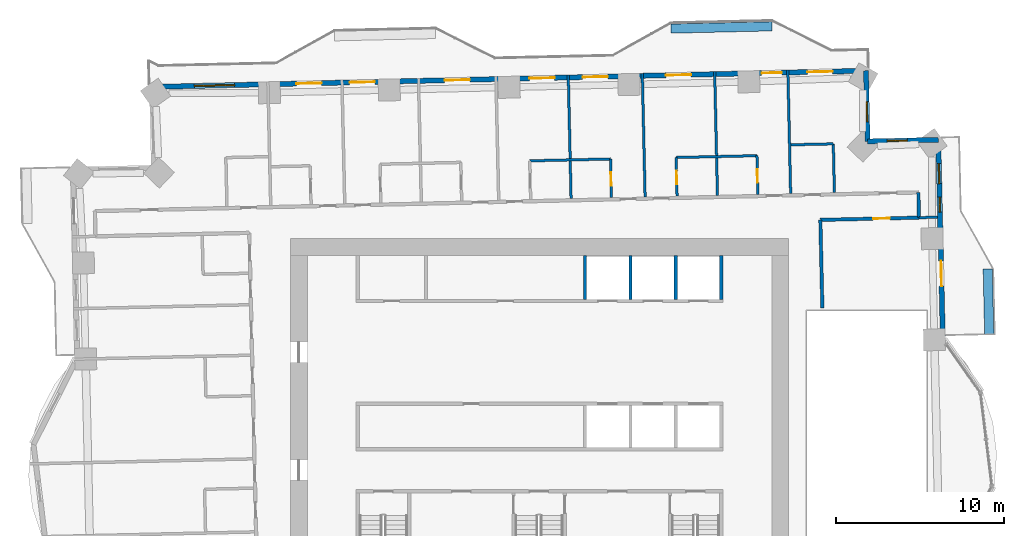
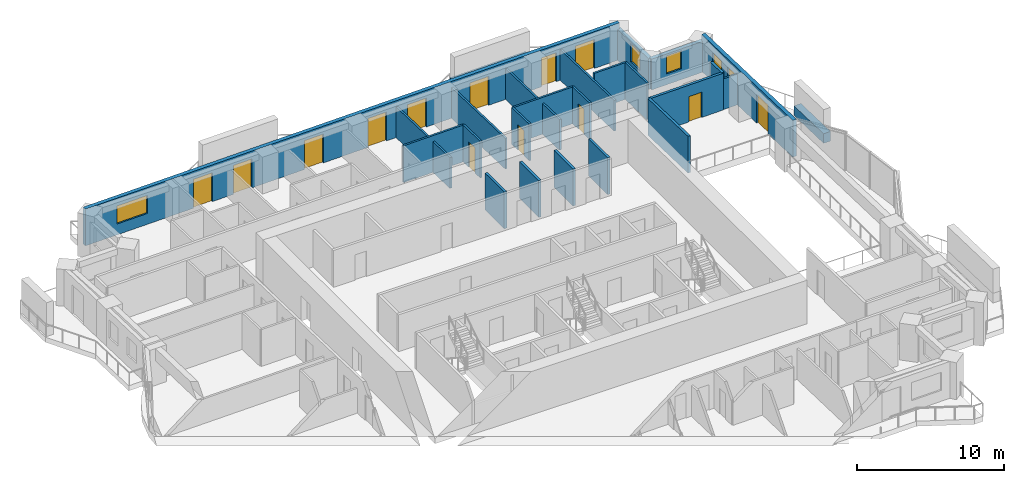
# One storey, part 11 of 16: 25 walls, 13 doors, 5 windows, 18 openings.
"""IFC4 building model written with IfcOpenShell, lengths in metres."""

from ifc_helpers import new_model, si_unit, direction, frame, frame_2d, origin, place, context, subcontext, project, spatial, rectangle, extrude, material, layer, layer_set, type_object, element, fill, save


model = new_model("IFC4")

# Units and contexts
model_context = context("Model", 3, precision=1e-05, world=origin(), true_north=direction((0.0, 1.0)))
body_context = subcontext(model_context, "Body", "Model", "MODEL_VIEW")
ifc_project = project(units=[si_unit("LENGTHUNIT", "METRE"), si_unit("AREAUNIT", "SQUARE_METRE"), si_unit("VOLUMEUNIT", "CUBIC_METRE"), si_unit("PLANEANGLEUNIT", "RADIAN"), si_unit("MASSUNIT", "GRAM", prefix="KILO")], contexts=[model_context])

# Site, building, storey
site_placement = place(None, origin())
site = spatial("IfcSite", under=ifc_project, at=site_placement, CompositionType="ELEMENT")
building_placement = place(site_placement, origin())
building = spatial("IfcBuilding", under=site, at=building_placement, Name="Mangrove Gate Tower", CompositionType="ELEMENT")
storey_placement = place(building_placement, frame((0.0, 0.0, 130.10009765625)))
storey = spatial("IfcBuildingStorey", under=building, at=storey_placement, Name="L32", CompositionType="ELEMENT", Elevation=130.10009765625)

# Walls
ifc_material_1 = material(Name="Concrete C70/85", Category="concrete")
ifc_layer_1 = layer(ifc_material_1, 0.199951171875)
ifc_layer_set_1 = layer_set([ifc_layer_1], Name="Core shaft wall 200 C70/85")
wall_type_1 = type_object("IfcWallType", Name="Core shaft wall 200 C70/85", PredefinedType="SHEAR", material=ifc_layer_set_1)
for number, where, z_axis, x_axis, name in (
    (1, (2.699951171875, 8.199951171875, 0.0), (0.0, 0.0, 1.0), (0.0, 1.0, 0.0), "WALL-L32-CORE-26"),
    (2, (5.39990234375, 8.199951171875, 0.0), (0.0, 0.0, 1.0), (0.0, 1.0, 0.0), "WALL-L32-CORE-27"),
    (3, (8.10009765625, 8.199951171875, 0.0), (0.0, 0.0, 1.0), (0.0, 1.0, 0.0), "WALL-L32-CORE-28"),
    (4, (10.800048828125, 8.199951171875, 0.0), (0.0, 0.0, 1.0), (0.0, 1.0, 0.0), "WALL-L32-CORE-29"),
):
    element("IfcWall", number, at=place(storey_placement, frame(where, z_axis=z_axis, x_axis=x_axis)), inside=storey, type_object=wall_type_1, Name=name, PredefinedType="SHEAR", context=body_context, shape_type="SweptSolid", body=[
        extrude(rectangle(XDim=2.60009765625, YDim=0.199951171875, at=frame_2d((1.300048828125, 0.0))), origin(), (0.0, 0.0, 1.0), 3.0498046875),
    ])
ifc_material_2 = material(Name="Gypsum board on steel stud, EI 60", Category="steel")
ifc_layer_2 = layer(ifc_material_2, 0.199951171875)
ifc_layer_set_2 = layer_set([ifc_layer_2], Name="Corridor wall EI 60")
wall_type_2 = type_object("IfcWallType", Name="Corridor wall EI 60", PredefinedType="PARTITIONING", material=ifc_layer_set_2)
wall_1_placement = place(storey_placement, frame((16.802978515625, 7.675048828125, 0.0), z_axis=(0.0, 0.0, 1.0), x_axis=(-0.022667483124, 0.999743059595, 0.0)))
element("IfcWall", 5, at=wall_1_placement, inside=storey, type_object=wall_type_2, Name="WALL-L32-050", PredefinedType="PARTITIONING", context=body_context, shape_type="SweptSolid", body=[
    extrude(rectangle(XDim=5.245361328125, YDim=0.199951171875, at=frame_2d((2.62255859375, 0.0))), origin(), (0.0, 0.0, 1.0), 3.0498046875),
])

# Wall, opening, door
wall_2_placement = place(storey_placement, frame((16.678955078125, 12.91796875, 0.0), z_axis=(0.0, 0.0, 1.0), x_axis=(0.999739057042, 0.022843332181, 0.0)))
wall_2 = element("IfcWall", 6, at=wall_2_placement, inside=storey, type_object=wall_type_2, Name="WALL-L32-057", PredefinedType="PARTITIONING", context=body_context, shape_type="SweptSolid", body=[
    extrude(rectangle(XDim=5.867431640625, YDim=0.199951171875, at=frame_2d((2.93359375, 0.0))), origin(), (0.0, 0.0, 1.0), 3.0498046875),
])
opening_1_placement = place(wall_2_placement, frame((3.134033203125, 0.0, 0.0)))
opening_1 = element("IfcOpeningElement", 7, at=opening_1_placement, cuts=wall_2, Name="Opening AD", PredefinedType="OPENING", context=body_context, shape_type="SweptSolid", body=[
    extrude(rectangle(XDim=1.0, YDim=2.10009765625, at=frame_2d((0.5, 1.050048828125))), frame((0.0, 0.10986328125, 0.0), z_axis=(0.0, -1.0, 0.0), x_axis=(1.0, 0.0, 0.0)), (0.0, 0.0, 1.0), 0.219970703125),
])
ifc_material_3 = material(Name="Timber door leaf", Category="wood")
door_type_1 = type_object("IfcDoorType", Name="Amenity door 1000", OperationType="SINGLE_SWING_LEFT", PredefinedType="DOOR", material=ifc_material_3)
door_1_placement = place(opening_1_placement, origin())
door_1 = element("IfcDoor", 8, at=door_1_placement, inside=storey, type_object=door_type_1, Name="DOOR-L32-GAM-c3a", OperationType="SINGLE_SWING_LEFT", OverallHeight=2.10009765625, OverallWidth=1.0, PredefinedType="DOOR", context=body_context, shape_type="SweptSolid", body=[
    extrude(rectangle(XDim=1.0, YDim=2.10009765625, at=frame_2d((0.5, 1.050048828125))), frame((0.0, 0.02490234375, 0.0), z_axis=(0.0, -1.0, 0.0), x_axis=(1.0, 0.0, 0.0)), (0.0, 0.0, 1.0), 0.050048828125),
])
fill(opening_1, door_1)

# Wall
wall_3_placement = place(storey_placement, frame((22.54296875, 13.052001953125, 0.0), z_axis=(0.0, 0.0, 1.0), x_axis=(-0.022632637625, 0.99974384905, 0.0)))
element("IfcWall", 9, at=wall_3_placement, inside=storey, type_object=wall_type_2, Name="WALL-L32-058", PredefinedType="PARTITIONING", context=body_context, shape_type="SweptSolid", body=[
    extrude(rectangle(XDim=1.49951171875, YDim=0.199951171875, at=frame_2d((0.749755859375, 0.0))), origin(), (0.0, 0.0, 1.0), 3.0498046875),
])

# Wall, openings, door, windows
ifc_material_4 = material(Name="Limestone", Category="masonry")
ifc_layer_3 = layer(ifc_material_4, 0.0400390625, Name="Limestone cladding")
ifc_material_5 = material(Name="Ventilated air gap")
ifc_layer_4 = layer(ifc_material_5, 0.0400390625, Name="Ventilated cavity")
ifc_material_6 = material(Name="Mineral wool insulation")
ifc_layer_5 = layer(ifc_material_6, 0.06005859375, Name="Insulation")
ifc_material_7 = material(Name="Breather membrane")
ifc_layer_6 = layer(ifc_material_7, 0.001953125, Name="Breather membrane")
ifc_material_8 = material(Name="Concrete C20/25 blockwork", Category="masonry")
ifc_layer_7 = layer(ifc_material_8, 0.14990234375, Name="Blockwork backing wall")
ifc_material_9 = material(Name="Gypsum plaster")
ifc_layer_8 = layer(ifc_material_9, 0.008056640625, Name="Internal plaster")
ifc_layer_set_3 = layer_set([ifc_layer_3, ifc_layer_4, ifc_layer_5, ifc_layer_6, ifc_layer_7, ifc_layer_8], Name="External wall 300 limestone cladding")
wall_type_3 = type_object("IfcWallType", Name="External wall 300 limestone cladding", PredefinedType="SOLIDWALL", material=ifc_layer_set_3)
wall_4_placement = place(storey_placement, frame((23.9609375, 5.751953125, 0.0), z_axis=(0.0, 0.0, 1.0), x_axis=(-0.022715362207, 0.999741972871, 0.0)))
wall_4 = element("IfcWall", 10, at=wall_4_placement, inside=storey, type_object=wall_type_3, Name="WALL-L32-E2", PredefinedType="SOLIDWALL", context=body_context, shape_type="SweptSolid", body=[
    extrude(rectangle(XDim=11.93017578125, YDim=0.300048828125, at=frame_2d((5.965087890625, 0.0))), origin(), (0.0, 0.0, 1.0), 3.0498046875),
])
opening_2_placement = place(wall_4_placement, frame((3.22802734375, 0.0, 0.0)))
opening_2 = element("IfcOpeningElement", 11, at=opening_2_placement, cuts=wall_4, Name="Opening BD1", PredefinedType="OPENING", context=body_context, shape_type="SweptSolid", body=[
    extrude(rectangle(XDim=1.5, YDim=2.39990234375, at=frame_2d((0.75, 1.199951171875))), frame((0.0, 0.159912109375, 0.0), z_axis=(0.0, -1.0, 0.0), x_axis=(1.0, 0.0, 0.0)), (0.0, 0.0, 1.0), 0.320068359375),
])
opening_3_placement = place(wall_4_placement, frame((7.62890625, 0.0, 0.89990234375)))
opening_3 = element("IfcOpeningElement", 12, at=opening_3_placement, cuts=wall_4, Name="Opening W5", PredefinedType="OPENING", context=body_context, shape_type="SweptSolid", body=[
    extrude(rectangle(XDim=0.89990234375, YDim=1.5, at=frame_2d((0.449951171875, 0.75))), frame((0.0, 0.159912109375, 0.0), z_axis=(0.0, -1.0, 0.0), x_axis=(1.0, 0.0, 0.0)), (0.0, 0.0, 1.0), 0.320068359375),
])
opening_4_placement = place(wall_4_placement, frame((9.31591796875, 0.0, 0.89990234375)))
opening_4 = element("IfcOpeningElement", 13, at=opening_4_placement, cuts=wall_4, Name="Opening W1", PredefinedType="OPENING", context=body_context, shape_type="SweptSolid", body=[
    extrude(rectangle(XDim=1.199951171875, YDim=1.5, at=frame_2d((0.60009765625, 0.75))), frame((0.0, 0.159912109375, 0.0), z_axis=(0.0, -1.0, 0.0), x_axis=(1.0, 0.0, 0.0)), (0.0, 0.0, 1.0), 0.320068359375),
])
ifc_material_10 = material(Name="Aluminium frame with laminated clear glass", Category="aluminium")
door_type_2 = type_object("IfcDoorType", Name="Balcony sliding door 1500x2400", OperationType="SLIDING_TO_LEFT", PredefinedType="DOOR", material=ifc_material_10)
door_2_placement = place(opening_2_placement, origin())
door_2 = element("IfcDoor", 14, at=door_2_placement, inside=storey, type_object=door_type_2, Name="DOOR-L32-E2-1", OperationType="SLIDING_TO_LEFT", OverallHeight=2.39990234375, OverallWidth=1.5, PredefinedType="DOOR", context=body_context, shape_type="SweptSolid", body=[
    extrude(rectangle(XDim=1.5, YDim=2.39990234375, at=frame_2d((0.75, 1.199951171875))), frame((0.0, 0.02490234375, 0.0), z_axis=(0.0, -1.0, 0.0), x_axis=(1.0, 0.0, 0.0)), (0.0, 0.0, 1.0), 0.050048828125),
])
fill(opening_2, door_2)
ifc_material_11 = material(Name="Aluminium frame with double-glazed low-e glass", Category="aluminium")
window_type_1 = type_object("IfcWindowType", Name="Narrow window 900x1500", PartitioningType="SINGLE_PANEL", PredefinedType="WINDOW", material=ifc_material_11)
window_1_placement = place(opening_3_placement, origin())
window_1 = element("IfcWindow", 15, at=window_1_placement, inside=storey, type_object=window_type_1, Name="WIN-L32-E2-2", OverallHeight=1.5, OverallWidth=0.89990234375, PartitioningType="SINGLE_PANEL", PredefinedType="WINDOW", context=body_context, shape_type="SweptSolid", body=[
    extrude(rectangle(XDim=0.89990234375, YDim=1.5, at=frame_2d((0.449951171875, 0.75))), frame((0.0, 0.030029296875, 0.0), z_axis=(0.0, -1.0, 0.0), x_axis=(1.0, 0.0, 0.0)), (0.0, 0.0, 1.0), 0.06005859375),
])
fill(opening_3, window_1)
ifc_material_12 = material(Name="Aluminium frame with double-glazed low-e glass", Category="aluminium")
window_type_2 = type_object("IfcWindowType", Name="Side lite 1200x1500", PartitioningType="SINGLE_PANEL", PredefinedType="WINDOW", material=ifc_material_12)
window_2_placement = place(opening_4_placement, origin())
window_2 = element("IfcWindow", 16, at=window_2_placement, inside=storey, type_object=window_type_2, Name="WIN-L32-E2-3", OverallHeight=1.5, OverallWidth=1.199951171875, PartitioningType="SINGLE_PANEL", PredefinedType="WINDOW", context=body_context, shape_type="SweptSolid", body=[
    extrude(rectangle(XDim=1.199951171875, YDim=1.5, at=frame_2d((0.60009765625, 0.75))), frame((0.0, 0.030029296875, 0.0), z_axis=(0.0, -1.0, 0.0), x_axis=(1.0, 0.0, 0.0)), (0.0, 0.0, 1.0), 0.06005859375),
])
fill(opening_4, window_2)

# Wall, opening, window
wall_5_placement = place(storey_placement, frame((23.68994140625, 17.678955078125, 0.0), z_axis=(0.0, 0.0, 1.0), x_axis=(-0.999739037152, -0.022844202663, 0.0)))
wall_5 = element("IfcWall", 17, at=wall_5_placement, inside=storey, type_object=wall_type_3, Name="WALL-L32-N3", PredefinedType="SOLIDWALL", context=body_context, shape_type="SweptSolid", body=[
    extrude(rectangle(XDim=4.199951171875, YDim=0.300048828125, at=frame_2d((2.10009765625, 0.0))), origin(), (0.0, 0.0, 1.0), 2.5498046875),
])
opening_5_placement = place(wall_5_placement, frame((1.839111328125, 0.0, 0.89990234375)))
opening_5 = element("IfcOpeningElement", 18, at=opening_5_placement, cuts=wall_5, Name="Opening W1", PredefinedType="OPENING", context=body_context, shape_type="SweptSolid", body=[
    extrude(rectangle(XDim=1.199951171875, YDim=1.5, at=frame_2d((0.60009765625, 0.75))), frame((0.0, 0.159912109375, 0.0), z_axis=(0.0, -1.0, 0.0), x_axis=(1.0, 0.0, 0.0)), (0.0, 0.0, 1.0), 0.320068359375),
])
window_3_placement = place(opening_5_placement, origin())
window_3 = element("IfcWindow", 19, at=window_3_placement, inside=storey, type_object=window_type_2, Name="WIN-L32-N3-1", OverallHeight=1.5, OverallWidth=1.199951171875, PartitioningType="SINGLE_PANEL", PredefinedType="WINDOW", context=body_context, shape_type="SweptSolid", body=[
    extrude(rectangle(XDim=1.199951171875, YDim=1.5, at=frame_2d((0.60009765625, 0.75))), frame((0.0, 0.030029296875, 0.0), z_axis=(0.0, -1.0, 0.0), x_axis=(1.0, 0.0, 0.0)), (0.0, 0.0, 1.0), 0.06005859375),
])
fill(opening_5, window_3)

wall_6_placement = place(storey_placement, frame((19.490966796875, 17.5830078125, 0.0), z_axis=(0.0, 0.0, 1.0), x_axis=(-0.022611811187, 0.999744320311, 0.0)))
wall_6 = element("IfcWall", 20, at=wall_6_placement, inside=storey, type_object=wall_type_3, Name="WALL-L32-E4", PredefinedType="SOLIDWALL", context=body_context, shape_type="SweptSolid", body=[
    extrude(rectangle(XDim=4.199951171875, YDim=0.300048828125, at=frame_2d((2.10009765625, 0.0))), origin(), (0.0, 0.0, 1.0), 2.5498046875),
])
opening_6_placement = place(wall_6_placement, frame((1.155029296875, 0.0, 0.89990234375)))
opening_6 = element("IfcOpeningElement", 21, at=opening_6_placement, cuts=wall_6, Name="Opening W1", PredefinedType="OPENING", context=body_context, shape_type="SweptSolid", body=[
    extrude(rectangle(XDim=1.199951171875, YDim=1.5, at=frame_2d((0.60009765625, 0.75))), frame((0.0, 0.159912109375, 0.0), z_axis=(0.0, -1.0, 0.0), x_axis=(1.0, 0.0, 0.0)), (0.0, 0.0, 1.0), 0.320068359375),
])
window_4_placement = place(opening_6_placement, origin())
window_4 = element("IfcWindow", 22, at=window_4_placement, inside=storey, type_object=window_type_2, Name="WIN-L32-E4-1", OverallHeight=1.5, OverallWidth=1.199951171875, PartitioningType="SINGLE_PANEL", PredefinedType="WINDOW", context=body_context, shape_type="SweptSolid", body=[
    extrude(rectangle(XDim=1.199951171875, YDim=1.5, at=frame_2d((0.60009765625, 0.75))), frame((0.0, 0.030029296875, 0.0), z_axis=(0.0, -1.0, 0.0), x_axis=(1.0, 0.0, 0.0)), (0.0, 0.0, 1.0), 0.06005859375),
])
fill(opening_6, window_4)

# Wall, openings, doors, window
wall_7_placement = place(storey_placement, frame((19.39599609375, 21.781982421875, 0.0), z_axis=(0.0, 0.0, 1.0), x_axis=(-0.999742636707, -0.022686126826, 0.0)))
wall_7 = element("IfcWall", 23, at=wall_7_placement, inside=storey, type_object=wall_type_3, Name="WALL-L32-N5", PredefinedType="SOLIDWALL", context=body_context, shape_type="SweptSolid", body=[
    extrude(rectangle(XDim=42.444091796875, YDim=0.300048828125, at=frame_2d((21.22216796875, 0.0))), origin(), (0.0, 0.0, 1.0), 3.0498046875),
])
opening_7_placement = place(wall_7_placement, frame((1.98193359375, 0.0, 0.0)))
opening_7 = element("IfcOpeningElement", 24, at=opening_7_placement, cuts=wall_7, Name="Opening BD1", PredefinedType="OPENING", context=body_context, shape_type="SweptSolid", body=[
    extrude(rectangle(XDim=1.5, YDim=2.39990234375, at=frame_2d((0.75, 1.199951171875))), frame((0.0, 0.159912109375, 0.0), z_axis=(0.0, -1.0, 0.0), x_axis=(1.0, 0.0, 0.0)), (0.0, 0.0, 1.0), 0.320068359375),
])
opening_8_placement = place(wall_7_placement, frame((5.009033203125, 0.0, 0.0)))
opening_8 = element("IfcOpeningElement", 25, at=opening_8_placement, cuts=wall_7, Name="Opening BD2", PredefinedType="OPENING", context=body_context, shape_type="SweptSolid", body=[
    extrude(rectangle(XDim=1.199951171875, YDim=2.39990234375, at=frame_2d((0.60009765625, 1.199951171875))), frame((0.0, 0.159912109375, 0.0), z_axis=(0.0, -1.0, 0.0), x_axis=(1.0, 0.0, 0.0)), (0.0, 0.0, 1.0), 0.320068359375),
])
opening_9_placement = place(wall_7_placement, frame((10.39404296875, 0.0, 0.0)))
opening_9 = element("IfcOpeningElement", 26, at=opening_9_placement, cuts=wall_7, Name="Opening BD1", PredefinedType="OPENING", context=body_context, shape_type="SweptSolid", body=[
    extrude(rectangle(XDim=1.5, YDim=2.39990234375, at=frame_2d((0.75, 1.199951171875))), frame((0.0, 0.159912109375, 0.0), z_axis=(0.0, -1.0, 0.0), x_axis=(1.0, 0.0, 0.0)), (0.0, 0.0, 1.0), 0.320068359375),
])
opening_10_placement = place(wall_7_placement, frame((15.345947265625, 0.0, 0.0)))
opening_10 = element("IfcOpeningElement", 27, at=opening_10_placement, cuts=wall_7, Name="Opening BD1", PredefinedType="OPENING", context=body_context, shape_type="SweptSolid", body=[
    extrude(rectangle(XDim=1.5, YDim=2.39990234375, at=frame_2d((0.75, 1.199951171875))), frame((0.0, 0.159912109375, 0.0), z_axis=(0.0, -1.0, 0.0), x_axis=(1.0, 0.0, 0.0)), (0.0, 0.0, 1.0), 0.320068359375),
])
opening_11_placement = place(wall_7_placement, frame((18.508056640625, 0.0, 0.0)))
opening_11 = element("IfcOpeningElement", 28, at=opening_11_placement, cuts=wall_7, Name="Opening BD1", PredefinedType="OPENING", context=body_context, shape_type="SweptSolid", body=[
    extrude(rectangle(XDim=1.5, YDim=2.39990234375, at=frame_2d((0.75, 1.199951171875))), frame((0.0, 0.159912109375, 0.0), z_axis=(0.0, -1.0, 0.0), x_axis=(1.0, 0.0, 0.0)), (0.0, 0.0, 1.0), 0.320068359375),
])
opening_12_placement = place(wall_7_placement, frame((23.5439453125, 0.0, 0.0)))
opening_12 = element("IfcOpeningElement", 29, at=opening_12_placement, cuts=wall_7, Name="Opening BD1", PredefinedType="OPENING", context=body_context, shape_type="SweptSolid", body=[
    extrude(rectangle(XDim=1.5, YDim=2.39990234375, at=frame_2d((0.75, 1.199951171875))), frame((0.0, 0.159912109375, 0.0), z_axis=(0.0, -1.0, 0.0), x_axis=(1.0, 0.0, 0.0)), (0.0, 0.0, 1.0), 0.320068359375),
])
opening_13_placement = place(wall_7_placement, frame((29.195068359375, 0.0, 0.0)))
opening_13 = element("IfcOpeningElement", 30, at=opening_13_placement, cuts=wall_7, Name="Opening BD1", PredefinedType="OPENING", context=body_context, shape_type="SweptSolid", body=[
    extrude(rectangle(XDim=1.5, YDim=2.39990234375, at=frame_2d((0.75, 1.199951171875))), frame((0.0, 0.159912109375, 0.0), z_axis=(0.0, -1.0, 0.0), x_axis=(1.0, 0.0, 0.0)), (0.0, 0.0, 1.0), 0.320068359375),
])
opening_14_placement = place(wall_7_placement, frame((32.35693359375, 0.0, 0.0)))
opening_14 = element("IfcOpeningElement", 31, at=opening_14_placement, cuts=wall_7, Name="Opening BD1", PredefinedType="OPENING", context=body_context, shape_type="SweptSolid", body=[
    extrude(rectangle(XDim=1.5, YDim=2.39990234375, at=frame_2d((0.75, 1.199951171875))), frame((0.0, 0.159912109375, 0.0), z_axis=(0.0, -1.0, 0.0), x_axis=(1.0, 0.0, 0.0)), (0.0, 0.0, 1.0), 0.320068359375),
])
opening_15_placement = place(wall_7_placement, frame((37.52392578125, 0.0, 0.89990234375)))
opening_15 = element("IfcOpeningElement", 32, at=opening_15_placement, cuts=wall_7, Name="Opening W2", PredefinedType="OPENING", context=body_context, shape_type="SweptSolid", body=[
    extrude(rectangle(XDim=2.39990234375, YDim=1.5, at=frame_2d((1.199951171875, 0.75))), frame((0.0, 0.159912109375, 0.0), z_axis=(0.0, -1.0, 0.0), x_axis=(1.0, 0.0, 0.0)), (0.0, 0.0, 1.0), 0.320068359375),
])
ifc_material_13 = material(Name="Aluminium frame with laminated clear glass", Category="aluminium")
door_type_3 = type_object("IfcDoorType", Name="Balcony sliding door 1200x2400", OperationType="SLIDING_TO_LEFT", PredefinedType="DOOR", material=ifc_material_13)
door_3_placement = place(opening_8_placement, origin())
door_3 = element("IfcDoor", 33, at=door_3_placement, inside=storey, type_object=door_type_3, Name="DOOR-L32-N5-2", OperationType="SLIDING_TO_LEFT", OverallHeight=2.39990234375, OverallWidth=1.199951171875, PredefinedType="DOOR", context=body_context, shape_type="SweptSolid", body=[
    extrude(rectangle(XDim=1.199951171875, YDim=2.39990234375, at=frame_2d((0.60009765625, 1.199951171875))), frame((0.0, 0.02490234375, 0.0), z_axis=(0.0, -1.0, 0.0), x_axis=(1.0, 0.0, 0.0)), (0.0, 0.0, 1.0), 0.050048828125),
])
fill(opening_8, door_3)
door_4_placement = place(opening_7_placement, origin())
door_4 = element("IfcDoor", 34, at=door_4_placement, inside=storey, type_object=door_type_2, Name="DOOR-L32-N5-1", OperationType="SLIDING_TO_LEFT", OverallHeight=2.39990234375, OverallWidth=1.5, PredefinedType="DOOR", context=body_context, shape_type="SweptSolid", body=[
    extrude(rectangle(XDim=1.5, YDim=2.39990234375, at=frame_2d((0.75, 1.199951171875))), frame((0.0, 0.02490234375, 0.0), z_axis=(0.0, -1.0, 0.0), x_axis=(1.0, 0.0, 0.0)), (0.0, 0.0, 1.0), 0.050048828125),
])
fill(opening_7, door_4)
door_5_placement = place(opening_9_placement, origin())
door_5 = element("IfcDoor", 35, at=door_5_placement, inside=storey, type_object=door_type_2, Name="DOOR-L32-N5-3", OperationType="SLIDING_TO_LEFT", OverallHeight=2.39990234375, OverallWidth=1.5, PredefinedType="DOOR", context=body_context, shape_type="SweptSolid", body=[
    extrude(rectangle(XDim=1.5, YDim=2.39990234375, at=frame_2d((0.75, 1.199951171875))), frame((0.0, 0.02490234375, 0.0), z_axis=(0.0, -1.0, 0.0), x_axis=(1.0, 0.0, 0.0)), (0.0, 0.0, 1.0), 0.050048828125),
])
fill(opening_9, door_5)
door_6_placement = place(opening_10_placement, origin())
door_6 = element("IfcDoor", 36, at=door_6_placement, inside=storey, type_object=door_type_2, Name="DOOR-L32-N5-4", OperationType="SLIDING_TO_LEFT", OverallHeight=2.39990234375, OverallWidth=1.5, PredefinedType="DOOR", context=body_context, shape_type="SweptSolid", body=[
    extrude(rectangle(XDim=1.5, YDim=2.39990234375, at=frame_2d((0.75, 1.199951171875))), frame((0.0, 0.02490234375, 0.0), z_axis=(0.0, -1.0, 0.0), x_axis=(1.0, 0.0, 0.0)), (0.0, 0.0, 1.0), 0.050048828125),
])
fill(opening_10, door_6)
door_7_placement = place(opening_11_placement, origin())
door_7 = element("IfcDoor", 37, at=door_7_placement, inside=storey, type_object=door_type_2, Name="DOOR-L32-N5-5", OperationType="SLIDING_TO_LEFT", OverallHeight=2.39990234375, OverallWidth=1.5, PredefinedType="DOOR", context=body_context, shape_type="SweptSolid", body=[
    extrude(rectangle(XDim=1.5, YDim=2.39990234375, at=frame_2d((0.75, 1.199951171875))), frame((0.0, 0.02490234375, 0.0), z_axis=(0.0, -1.0, 0.0), x_axis=(1.0, 0.0, 0.0)), (0.0, 0.0, 1.0), 0.050048828125),
])
fill(opening_11, door_7)
door_8_placement = place(opening_12_placement, origin())
door_8 = element("IfcDoor", 38, at=door_8_placement, inside=storey, type_object=door_type_2, Name="DOOR-L32-N5-6", OperationType="SLIDING_TO_LEFT", OverallHeight=2.39990234375, OverallWidth=1.5, PredefinedType="DOOR", context=body_context, shape_type="SweptSolid", body=[
    extrude(rectangle(XDim=1.5, YDim=2.39990234375, at=frame_2d((0.75, 1.199951171875))), frame((0.0, 0.02490234375, 0.0), z_axis=(0.0, -1.0, 0.0), x_axis=(1.0, 0.0, 0.0)), (0.0, 0.0, 1.0), 0.050048828125),
])
fill(opening_12, door_8)
door_9_placement = place(opening_13_placement, origin())
door_9 = element("IfcDoor", 39, at=door_9_placement, inside=storey, type_object=door_type_2, Name="DOOR-L32-N5-7", OperationType="SLIDING_TO_LEFT", OverallHeight=2.39990234375, OverallWidth=1.5, PredefinedType="DOOR", context=body_context, shape_type="SweptSolid", body=[
    extrude(rectangle(XDim=1.5, YDim=2.39990234375, at=frame_2d((0.75, 1.199951171875))), frame((0.0, 0.02490234375, 0.0), z_axis=(0.0, -1.0, 0.0), x_axis=(1.0, 0.0, 0.0)), (0.0, 0.0, 1.0), 0.050048828125),
])
fill(opening_13, door_9)
door_10_placement = place(opening_14_placement, origin())
door_10 = element("IfcDoor", 40, at=door_10_placement, inside=storey, type_object=door_type_2, Name="DOOR-L32-N5-8", OperationType="SLIDING_TO_LEFT", OverallHeight=2.39990234375, OverallWidth=1.5, PredefinedType="DOOR", context=body_context, shape_type="SweptSolid", body=[
    extrude(rectangle(XDim=1.5, YDim=2.39990234375, at=frame_2d((0.75, 1.199951171875))), frame((0.0, 0.02490234375, 0.0), z_axis=(0.0, -1.0, 0.0), x_axis=(1.0, 0.0, 0.0)), (0.0, 0.0, 1.0), 0.050048828125),
])
fill(opening_14, door_10)
ifc_material_14 = material(Name="Aluminium frame with double-glazed low-e glass", Category="aluminium")
window_type_3 = type_object("IfcWindowType", Name="Corner room window 2400x1500", PartitioningType="DOUBLE_PANEL_VERTICAL", PredefinedType="WINDOW", material=ifc_material_14)
window_5_placement = place(opening_15_placement, origin())
window_5 = element("IfcWindow", 41, at=window_5_placement, inside=storey, type_object=window_type_3, Name="WIN-L32-N5-9", OverallHeight=1.5, OverallWidth=2.39990234375, PartitioningType="DOUBLE_PANEL_VERTICAL", PredefinedType="WINDOW", context=body_context, shape_type="SweptSolid", body=[
    extrude(rectangle(XDim=2.39990234375, YDim=1.5, at=frame_2d((1.199951171875, 0.75))), frame((0.0, 0.030029296875, 0.0), z_axis=(0.0, -1.0, 0.0), x_axis=(1.0, 0.0, 0.0)), (0.0, 0.0, 1.0), 0.06005859375),
])
fill(opening_15, window_5)

# Walls
ifc_material_15 = material(Name="Gypsum board on steel stud, EI 60", Category="steel")
ifc_layer_9 = layer(ifc_material_15, 0.14990234375)
ifc_layer_set_4 = layer_set([ifc_layer_9], Name="Party wall 150 EI 60")
wall_type_4 = type_object("IfcWallType", Name="Party wall 150 EI 60", PredefinedType="PARTITIONING", material=ifc_layer_set_4)
wall_8_placement = place(storey_placement, frame((22.544921875, 13.052001953125, 0.0), z_axis=(0.0, 0.0, 1.0), x_axis=(0.999743438074, 0.022650784248, 0.0)))
element("IfcWall", 42, at=wall_8_placement, inside=storey, type_object=wall_type_4, Name="WALL-L32-059", PredefinedType="PARTITIONING", context=body_context, shape_type="SweptSolid", body=[
    extrude(rectangle(XDim=1.099365234375, YDim=0.14990234375, at=frame_2d((0.5498046875, 0.0))), origin(), (0.0, 0.0, 1.0), 2.5498046875),
])
wall_9_placement = place(storey_placement, frame((1.8720703125, 14.18310546875, 0.0), z_axis=(0.0, 0.0, 1.0), x_axis=(-0.022720650804, 0.999741852694, 0.0)))
element("IfcWall", 43, at=wall_9_placement, inside=storey, type_object=wall_type_4, Name="WALL-L32-070", PredefinedType="PARTITIONING", context=body_context, shape_type="SweptSolid", body=[
    extrude(rectangle(XDim=7.349853515625, YDim=0.14990234375, at=frame_2d((3.6748046875, 0.0))), origin(), (0.0, 0.0, 1.0), 2.5498046875),
])

# Wall, opening, door
wall_10_placement = place(storey_placement, frame((4.27099609375, 14.237060546875, 0.0), z_axis=(0.0, 0.0, 1.0), x_axis=(-0.022603288534, 0.999744513037, 0.0)))
wall_10 = element("IfcWall", 44, at=wall_10_placement, inside=storey, type_object=wall_type_4, Name="WALL-L32-071", PredefinedType="PARTITIONING", context=body_context, shape_type="SweptSolid", body=[
    extrude(rectangle(XDim=2.300537109375, YDim=0.14990234375, at=frame_2d((1.150390625, 0.0))), origin(), (0.0, 0.0, 1.0), 3.0498046875),
])
opening_16_placement = place(wall_10_placement, frame((0.699951171875, 0.0, 0.0)))
opening_16 = element("IfcOpeningElement", 45, at=opening_16_placement, cuts=wall_10, Name="Opening ED", PredefinedType="OPENING", context=body_context, shape_type="SweptSolid", body=[
    extrude(rectangle(XDim=0.800048828125, YDim=2.10009765625, at=frame_2d((0.39990234375, 1.050048828125))), frame((0.0, 0.0849609375, 0.0), z_axis=(0.0, -1.0, 0.0), x_axis=(1.0, 0.0, 0.0)), (0.0, 0.0, 1.0), 0.169921875),
])
ifc_material_16 = material(Name="Timber door leaf", Category="wood")
door_type_4 = type_object("IfcDoorType", Name="En-suite door 800", OperationType="SINGLE_SWING_LEFT", PredefinedType="DOOR", material=ifc_material_16)
door_11_placement = place(opening_16_placement, origin())
door_11 = element("IfcDoor", 46, at=door_11_placement, inside=storey, type_object=door_type_4, Name="DOOR-L32-ENS-c411", OperationType="SINGLE_SWING_LEFT", OverallHeight=2.10009765625, OverallWidth=0.800048828125, PredefinedType="DOOR", context=body_context, shape_type="SweptSolid", body=[
    extrude(rectangle(XDim=0.800048828125, YDim=2.10009765625, at=frame_2d((0.39990234375, 1.050048828125))), frame((0.0, 0.02490234375, 0.0), z_axis=(0.0, -1.0, 0.0), x_axis=(1.0, 0.0, 0.0)), (0.0, 0.0, 1.0), 0.050048828125),
])
fill(opening_16, door_11)

# Wall
wall_11_placement = place(storey_placement, frame((6.27099609375, 14.282958984375, 0.0), z_axis=(0.0, 0.0, 1.0), x_axis=(-0.022719896304, 0.99974186984, 0.0)))
element("IfcWall", 47, at=wall_11_placement, inside=storey, type_object=wall_type_4, Name="WALL-L32-072", PredefinedType="PARTITIONING", context=body_context, shape_type="SweptSolid", body=[
    extrude(rectangle(XDim=7.35009765625, YDim=0.14990234375, at=frame_2d((3.675048828125, 0.0))), origin(), (0.0, 0.0, 1.0), 2.5498046875),
])

# Wall, opening, door
wall_12_placement = place(storey_placement, frame((8.169921875, 14.325927734375, 0.0), z_axis=(0.0, 0.0, 1.0), x_axis=(-0.022612884682, 0.999744296031, 0.0)))
wall_12 = element("IfcWall", 48, at=wall_12_placement, inside=storey, type_object=wall_type_4, Name="WALL-L32-073", PredefinedType="PARTITIONING", context=body_context, shape_type="SweptSolid", body=[
    extrude(rectangle(XDim=2.299560546875, YDim=0.14990234375, at=frame_2d((1.14990234375, 0.0))), origin(), (0.0, 0.0, 1.0), 3.0498046875),
])
opening_17_placement = place(wall_12_placement, frame((0.699951171875, 0.0, 0.0)))
opening_17 = element("IfcOpeningElement", 49, at=opening_17_placement, cuts=wall_12, Name="Opening ED", PredefinedType="OPENING", context=body_context, shape_type="SweptSolid", body=[
    extrude(rectangle(XDim=0.800048828125, YDim=2.10009765625, at=frame_2d((0.39990234375, 1.050048828125))), frame((0.0, 0.0849609375, 0.0), z_axis=(0.0, -1.0, 0.0), x_axis=(1.0, 0.0, 0.0)), (0.0, 0.0, 1.0), 0.169921875),
])
door_12_placement = place(opening_17_placement, origin())
door_12 = element("IfcDoor", 50, at=door_12_placement, inside=storey, type_object=door_type_4, Name="DOOR-L32-ENS-c410", OperationType="SINGLE_SWING_RIGHT", OverallHeight=2.10009765625, OverallWidth=0.800048828125, PredefinedType="DOOR", context=body_context, shape_type="SweptSolid", body=[
    extrude(rectangle(XDim=0.800048828125, YDim=2.10009765625, at=frame_2d((0.39990234375, 1.050048828125))), frame((0.0, 0.02490234375, 0.0), z_axis=(0.0, -1.0, 0.0), x_axis=(1.0, 0.0, 0.0)), (0.0, 0.0, 1.0), 0.050048828125),
])
fill(opening_17, door_12)

# Wall
wall_13_placement = place(storey_placement, frame((10.569091796875, 14.3798828125, 0.0), z_axis=(0.0, 0.0, 1.0), x_axis=(-0.022587099398, 0.999744878927, 0.0)))
element("IfcWall", 51, at=wall_13_placement, inside=storey, type_object=wall_type_4, Name="WALL-L32-074", PredefinedType="PARTITIONING", context=body_context, shape_type="SweptSolid", body=[
    extrude(rectangle(XDim=7.35009765625, YDim=0.14990234375, at=frame_2d((3.675048828125, 0.0))), origin(), (0.0, 0.0, 1.0), 2.5498046875),
])

# Wall, opening, door
wall_14_placement = place(storey_placement, frame((12.968994140625, 14.43505859375, 0.0), z_axis=(0.0, 0.0, 1.0), x_axis=(-0.022615284993, 0.999744241736, 0.0)))
wall_14 = element("IfcWall", 52, at=wall_14_placement, inside=storey, type_object=wall_type_4, Name="WALL-L32-075", PredefinedType="PARTITIONING", context=body_context, shape_type="SweptSolid", body=[
    extrude(rectangle(XDim=2.29931640625, YDim=0.14990234375, at=frame_2d((1.149658203125, 0.0))), origin(), (0.0, 0.0, 1.0), 3.0498046875),
])
opening_18_placement = place(wall_14_placement, frame((0.699951171875, 0.0, 0.0)))
opening_18 = element("IfcOpeningElement", 53, at=opening_18_placement, cuts=wall_14, Name="Opening ED", PredefinedType="OPENING", context=body_context, shape_type="SweptSolid", body=[
    extrude(rectangle(XDim=0.800048828125, YDim=2.10009765625, at=frame_2d((0.39990234375, 1.050048828125))), frame((0.0, 0.0849609375, 0.0), z_axis=(0.0, -1.0, 0.0), x_axis=(1.0, 0.0, 0.0)), (0.0, 0.0, 1.0), 0.169921875),
])
door_13_placement = place(opening_18_placement, origin())
door_13 = element("IfcDoor", 54, at=door_13_placement, inside=storey, type_object=door_type_4, Name="DOOR-L32-ENS-c309", OperationType="SINGLE_SWING_LEFT", OverallHeight=2.10009765625, OverallWidth=0.800048828125, PredefinedType="DOOR", context=body_context, shape_type="SweptSolid", body=[
    extrude(rectangle(XDim=0.800048828125, YDim=2.10009765625, at=frame_2d((0.39990234375, 1.050048828125))), frame((0.0, 0.02490234375, 0.0), z_axis=(0.0, -1.0, 0.0), x_axis=(1.0, 0.0, 0.0)), (0.0, 0.0, 1.0), 0.050048828125),
])
fill(opening_18, door_13)

# Walls
wall_15_placement = place(storey_placement, frame((14.91796875, 14.47900390625, 0.0), z_axis=(0.0, 0.0, 1.0), x_axis=(-0.022587849492, 0.99974486198, 0.0)))
element("IfcWall", 55, at=wall_15_placement, inside=storey, type_object=wall_type_4, Name="WALL-L32-076", PredefinedType="PARTITIONING", context=body_context, shape_type="SweptSolid", body=[
    extrude(rectangle(XDim=7.349853515625, YDim=0.14990234375, at=frame_2d((3.6748046875, 0.0))), origin(), (0.0, 0.0, 1.0), 2.5498046875),
])
wall_16_placement = place(storey_placement, frame((17.51806640625, 14.5380859375, 0.0), z_axis=(0.0, 0.0, 1.0), x_axis=(-0.022817032779, 0.999739657619, 0.0)))
element("IfcWall", 56, at=wall_16_placement, inside=storey, type_object=wall_type_4, Name="WALL-L32-077", PredefinedType="PARTITIONING", context=body_context, shape_type="SweptSolid", body=[
    extrude(rectangle(XDim=2.899658203125, YDim=0.14990234375, at=frame_2d((1.44970703125, 0.0))), origin(), (0.0, 0.0, 1.0), 3.0498046875),
])
for number, where, z_axis, x_axis, name in (
    (57, (-0.58203125, 16.427978515625, 0.0), (0.0, 0.0, 1.0), (0.99974154664, 0.022734113616, 0.0), "WALL-L32-080"),
    (58, (8.115966796875, 16.625, 0.0), (0.0, 0.0, 1.0), (0.999742701292, 0.022683280499, 0.0), "WALL-L32-081"),
):
    element("IfcWall", number, at=place(storey_placement, frame(where, z_axis=z_axis, x_axis=x_axis)), inside=storey, type_object=wall_type_4, Name=name, PredefinedType="PARTITIONING", context=body_context, shape_type="SweptSolid", body=[
        extrude(rectangle(XDim=4.80029296875, YDim=0.14990234375, at=frame_2d((2.400146484375, 0.0))), origin(), (0.0, 0.0, 1.0), 3.0498046875),
    ])
wall_17_placement = place(storey_placement, frame((14.926025390625, 17.3798828125, 0.0), z_axis=(0.0, 0.0, 1.0), x_axis=(0.99974392816, 0.022629142889, 0.0)))
element("IfcWall", 59, at=wall_17_placement, inside=storey, type_object=wall_type_4, Name="WALL-L32-083", PredefinedType="PARTITIONING", context=body_context, shape_type="SweptSolid", body=[
    extrude(rectangle(XDim=2.524658203125, YDim=0.14990234375, at=frame_2d((1.26220703125, 0.0))), origin(), (0.0, 0.0, 1.0), 3.0498046875),
])
ifc_material_17 = material(Name="Concrete C32/40", Category="concrete")
ifc_layer_10 = layer(ifc_material_17, 0.199951171875, Name="Planter trough wall")
ifc_material_18 = material(Name="Bituminous waterproofing membrane")
ifc_layer_11 = layer(ifc_material_18, 0.0048828125, Name="Waterproofing")
ifc_material_19 = material(Name="Drainage board and gravel")
ifc_layer_12 = layer(ifc_material_19, 0.044921875, Name="Drainage layer")
ifc_material_20 = material(Name="Planting soil")
ifc_layer_13 = layer(ifc_material_20, 0.300048828125, Name="Growing medium")
ifc_layer_set_5 = layer_set([ifc_layer_10, ifc_layer_11, ifc_layer_12, ifc_layer_13], Name="Planter wall 550 C32/40")
wall_type_5 = type_object("IfcWallType", Name="Planter wall 550 C32/40", PredefinedType="USERDEFINED", material=ifc_layer_set_5)
wall_18_placement = place(storey_placement, frame((26.718017578125, 6.1201171875, 0.0), z_axis=(0.0, 0.0, 1.0), x_axis=(-0.022745736617, 0.999741282265, 0.0)))
element("IfcWall", 60, at=wall_18_placement, inside=storey, type_object=wall_type_5, Name="PLANTER L32 E1.1", ObjectType="PLANTER", PredefinedType="USERDEFINED", context=body_context, shape_type="SweptSolid", body=[
    extrude(rectangle(XDim=3.874755859375, YDim=0.550048828125, at=frame_2d((1.9375, 0.0))), origin(), (0.0, 0.0, 1.0), 0.7998046875),
])
wall_19_placement = place(storey_placement, frame((7.81396484375, 24.284912109375, 0.0), z_axis=(0.0, 0.0, 1.0), x_axis=(0.999743094499, 0.022665943652, 0.0)))
element("IfcWall", 61, at=wall_19_placement, inside=storey, type_object=wall_type_5, Name="PLANTER L32 N0.1", ObjectType="PLANTER", PredefinedType="USERDEFINED", context=body_context, shape_type="SweptSolid", body=[
    extrude(rectangle(XDim=5.99951171875, YDim=0.550048828125, at=frame_2d((2.999755859375, 0.0))), origin(), (0.0, 0.0, 1.0), 0.7998046875),
])

save(model, "model.ifc")
